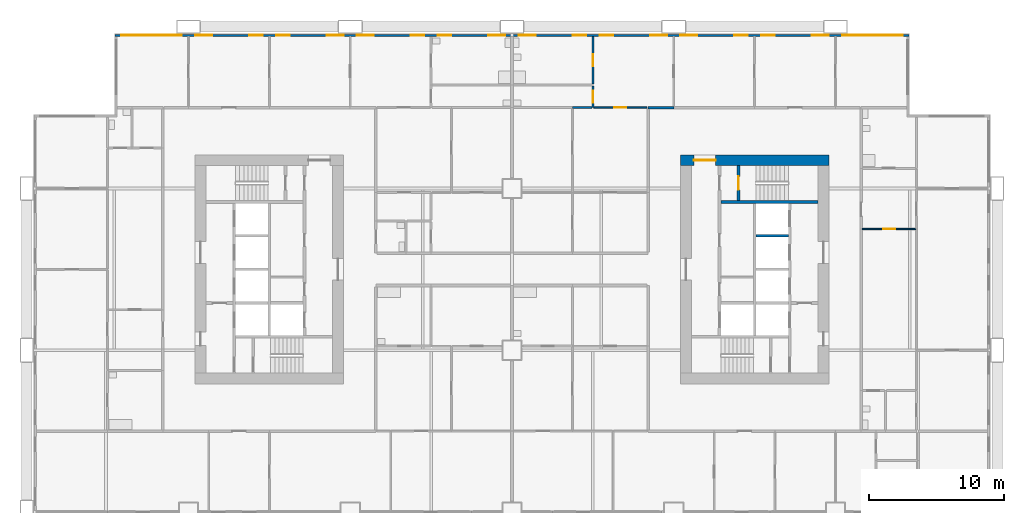
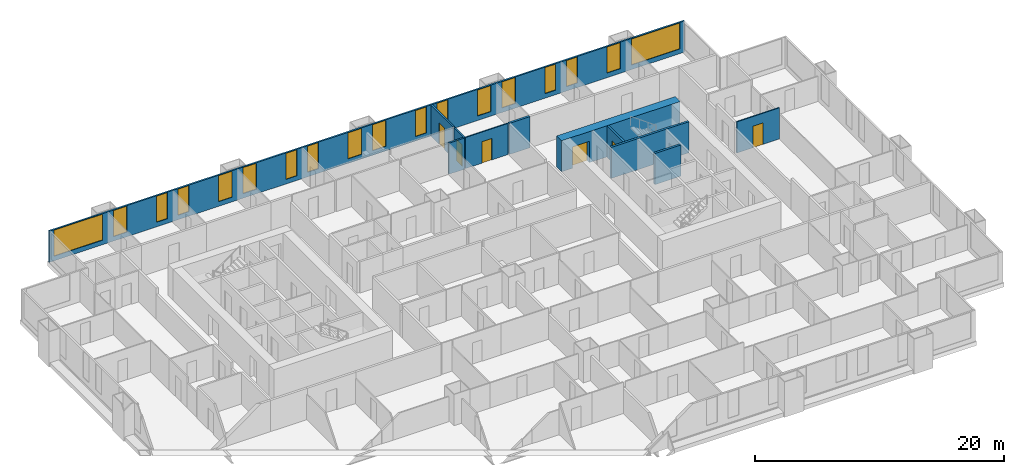
# One storey, part 10 of 14: 18 windows, 11 walls, 6 doors, 24 openings.
"""IFC4 building model written with IfcOpenShell, lengths in metres."""

from ifc_helpers import new_model, si_unit, direction, frame, frame_2d, origin, place, context, subcontext, project, spatial, rectangle, extrude, material, layer, layer_set, type_object, element, fill, save


model = new_model("IFC4")

# Units and contexts
model_context = context("Model", 3, precision=1e-05, world=origin(), true_north=direction((0.0, 1.0)))
body_context = subcontext(model_context, "Body", "Model", "MODEL_VIEW")
ifc_project = project(units=[si_unit("LENGTHUNIT", "METRE"), si_unit("AREAUNIT", "SQUARE_METRE"), si_unit("VOLUMEUNIT", "CUBIC_METRE"), si_unit("PLANEANGLEUNIT", "RADIAN"), si_unit("MASSUNIT", "GRAM", prefix="KILO")], contexts=[model_context])

# Site, building, storey
site_placement = place(None, origin())
site = spatial("IfcSite", under=ifc_project, at=site_placement, CompositionType="ELEMENT")
building_placement = place(site_placement, origin())
building = spatial("IfcBuilding", under=site, at=building_placement, Name="Kitamizu Gate Tower and Museum", CompositionType="ELEMENT")
storey_placement = place(building_placement, frame((0.0, 0.0, 33.449951171875)))
storey = spatial("IfcBuildingStorey", under=building, at=storey_placement, Name="L06", CompositionType="ELEMENT", Elevation=33.449951171875)

# Wall, opening, door
ifc_material_1 = material(Name="Concrete Fc60", Category="concrete")
ifc_layer_1 = layer(ifc_material_1, 0.800048828125)
ifc_layer_set_1 = layer_set([ifc_layer_1], Name="Concrete Fc60")
wall_type_1 = type_object("IfcWallType", Name="Core wall 800", PredefinedType="SHEAR", material=ifc_layer_set_1)
wall_1_placement = place(storey_placement, frame((59.5, 38.10009765625, 0.0), z_axis=(0.0, 0.0, 1.0), x_axis=(-1.0, 0.0, 0.0)))
wall_1 = element("IfcWall", 1, at=wall_1_placement, inside=storey, type_object=wall_type_1, Name="Core wall EN", PredefinedType="SHEAR", context=body_context, shape_type="SweptSolid", body=[
    extrude(rectangle(XDim=11.0, YDim=0.800048828125, at=frame_2d((5.5, 0.0))), origin(), (0.0, 0.0, 1.0), 3.050048828125),
])
opening_1_placement = place(wall_1_placement, frame((8.39990234375, 0.0, 0.0)))
opening_1 = element("IfcOpeningElement", 2, at=opening_1_placement, cuts=wall_1, Name="Opening L06-096", PredefinedType="OPENING", context=body_context, shape_type="SweptSolid", body=[
    extrude(rectangle(XDim=1.60009765625, YDim=2.10009765625, at=frame_2d((0.800048828125, 1.050048828125))), frame((0.0, 0.41015625, 0.0), z_axis=(0.0, -1.0, 0.0), x_axis=(1.0, 0.0, 0.0)), (0.0, 0.0, 1.0), 0.820068359375),
])
ifc_material_2 = material(Name="Timber door set", Category="wood")
door_type_1 = type_object("IfcDoorType", Name="Entrance door 1600", OperationType="DOUBLE_DOOR_SINGLE_SWING", PredefinedType="DOOR", material=ifc_material_2)
door_1_placement = place(opening_1_placement, origin())
door_1 = element("IfcDoor", 3, at=door_1_placement, inside=storey, type_object=door_type_1, Name="Lobby door L06-096", OperationType="DOUBLE_DOOR_SINGLE_SWING", OverallHeight=2.10009765625, OverallWidth=1.60009765625, PredefinedType="DOOR", context=body_context, shape_type="SweptSolid", body=[
    extrude(rectangle(XDim=1.60009765625, YDim=2.10009765625, at=frame_2d((0.800048828125, 1.050048828125))), frame((0.0, 0.02490234375, 0.0), z_axis=(0.0, -1.0, 0.0), x_axis=(1.0, 0.0, 0.0)), (0.0, 0.0, 1.0), 0.050048828125),
])
fill(opening_1, door_1)

ifc_material_3 = material(Name="Gypsum board on galvanised stud")
ifc_layer_2 = layer(ifc_material_3, 0.10009765625)
ifc_layer_set_2 = layer_set([ifc_layer_2], Name="Gypsum board on galvanised stud")
wall_type_2 = type_object("IfcWallType", Name="Partition 100 NOT RATED", PredefinedType="PARTITIONING", material=ifc_layer_set_2)
wall_2_placement = place(storey_placement, frame((65.949951171875, 33.0, 0.0), z_axis=(0.0, 0.0, 1.0), x_axis=(-1.0, 0.0, 0.0)))
wall_2 = element("IfcWall", 4, at=wall_2_placement, inside=storey, type_object=wall_type_2, Name="Partition L06-138", PredefinedType="PARTITIONING", context=body_context, shape_type="SweptSolid", body=[
    extrude(rectangle(XDim=3.949951171875, YDim=0.10009765625, at=frame_2d((1.97509765625, 0.0))), origin(), (0.0, 0.0, 1.0), 3.050048828125),
])
opening_2_placement = place(wall_2_placement, frame((1.52490234375, 0.0, 0.0)))
opening_2 = element("IfcOpeningElement", 5, at=opening_2_placement, cuts=wall_2, Name="Opening L06-050", PredefinedType="OPENING", context=body_context, shape_type="SweptSolid", body=[
    extrude(rectangle(XDim=0.89990234375, YDim=2.10009765625, at=frame_2d((0.449951171875, 1.050048828125))), frame((0.0, 0.06005859375, 0.0), z_axis=(0.0, -1.0, 0.0), x_axis=(1.0, 0.0, 0.0)), (0.0, 0.0, 1.0), 0.1201171875),
])
ifc_material_4 = material(Name="Timber door set", Category="wood")
door_type_2 = type_object("IfcDoorType", Name="Room door 900", OperationType="NOTDEFINED", PredefinedType="DOOR", material=ifc_material_4)
door_2_placement = place(opening_2_placement, frame((0.89990234375, 0.0, 0.0), x_axis=(-1.0, 0.0, 0.0)))
door_2 = element("IfcDoor", 6, at=door_2_placement, inside=storey, type_object=door_type_2, Name="Door L06-050", OperationType="SINGLE_SWING_LEFT", OverallHeight=2.10009765625, OverallWidth=0.89990234375, PredefinedType="DOOR", context=body_context, shape_type="SweptSolid", body=[
    extrude(rectangle(XDim=0.89990234375, YDim=2.10009765625, at=frame_2d((0.449951171875, 1.050048828125))), frame((0.0, 0.02490234375, 0.0), z_axis=(0.0, -1.0, 0.0), x_axis=(1.0, 0.0, 0.0)), (0.0, 0.0, 1.0), 0.050048828125),
])
fill(opening_2, door_2)

wall_3_placement = place(storey_placement, frame((42.074951171875, 42.0, 0.0), z_axis=(0.0, 0.0, 1.0), x_axis=(1.0, 0.0, 0.0)))
wall_3 = element("IfcWall", 7, at=wall_3_placement, inside=storey, type_object=wall_type_2, Name="Partition L06-185", PredefinedType="PARTITIONING", context=body_context, shape_type="SweptSolid", body=[
    extrude(rectangle(XDim=3.925048828125, YDim=0.10009765625, at=frame_2d((1.96240234375, 0.0))), origin(), (0.0, 0.0, 1.0), 3.050048828125),
])
opening_3_placement = place(wall_3_placement, frame((1.512451171875, 0.0, 0.0)))
opening_3 = element("IfcOpeningElement", 8, at=opening_3_placement, cuts=wall_3, Name="Opening L06-072", PredefinedType="OPENING", context=body_context, shape_type="SweptSolid", body=[
    extrude(rectangle(XDim=0.89990234375, YDim=2.10009765625, at=frame_2d((0.449951171875, 1.050048828125))), frame((0.0, 0.06005859375, 0.0), z_axis=(0.0, -1.0, 0.0), x_axis=(1.0, 0.0, 0.0)), (0.0, 0.0, 1.0), 0.1201171875),
])
door_3_placement = place(opening_3_placement, origin())
door_3 = element("IfcDoor", 9, at=door_3_placement, inside=storey, type_object=door_type_2, Name="Door L06-072", OperationType="SINGLE_SWING_LEFT", OverallHeight=2.10009765625, OverallWidth=0.89990234375, PredefinedType="DOOR", context=body_context, shape_type="SweptSolid", body=[
    extrude(rectangle(XDim=0.89990234375, YDim=2.10009765625, at=frame_2d((0.449951171875, 1.050048828125))), frame((0.0, 0.02490234375, 0.0), z_axis=(0.0, -1.0, 0.0), x_axis=(1.0, 0.0, 0.0)), (0.0, 0.0, 1.0), 0.050048828125),
])
fill(opening_3, door_3)

ifc_material_5 = material(Name="Gypsum board on galvanised stud")
ifc_layer_3 = layer(ifc_material_5, 0.14990234375)
ifc_layer_set_3 = layer_set([ifc_layer_3], Name="Gypsum board on galvanised stud")
wall_type_3 = type_object("IfcWallType", Name="Partition 150", PredefinedType="PARTITIONING", material=ifc_layer_set_3)
wall_4_placement = place(storey_placement, frame((42.0, 43.7548828125, 0.0), z_axis=(0.0, 0.0, 1.0), x_axis=(0.0, 1.0, 0.0)))
wall_4 = element("IfcWall", 10, at=wall_4_placement, inside=storey, type_object=wall_type_3, Name="Partition L06-180", PredefinedType="PARTITIONING", context=body_context, shape_type="SweptSolid", body=[
    extrude(rectangle(XDim=3.525146484375, YDim=0.14990234375, at=frame_2d((1.7626953125, 0.0))), origin(), (0.0, 0.0, 1.0), 3.050048828125),
])
opening_4_placement = place(wall_4_placement, frame((1.3125, 0.0, 0.0)))
opening_4 = element("IfcOpeningElement", 11, at=opening_4_placement, cuts=wall_4, Name="Opening L06-074", PredefinedType="OPENING", context=body_context, shape_type="SweptSolid", body=[
    extrude(rectangle(XDim=0.89990234375, YDim=2.10009765625, at=frame_2d((0.449951171875, 1.050048828125))), frame((0.0, 0.0849609375, 0.0), z_axis=(0.0, -1.0, 0.0), x_axis=(1.0, 0.0, 0.0)), (0.0, 0.0, 1.0), 0.169921875),
])
ifc_material_6 = material(Name="Timber door set", Category="wood")
door_type_3 = type_object("IfcDoorType", Name="Bathroom door 900", OperationType="NOTDEFINED", PredefinedType="DOOR", material=ifc_material_6)
door_4_placement = place(opening_4_placement, origin())
door_4 = element("IfcDoor", 12, at=door_4_placement, inside=storey, type_object=door_type_3, Name="Bathroom door L06-074", OperationType="SINGLE_SWING_LEFT", OverallHeight=2.10009765625, OverallWidth=0.89990234375, PredefinedType="DOOR", context=body_context, shape_type="SweptSolid", body=[
    extrude(rectangle(XDim=0.89990234375, YDim=2.10009765625, at=frame_2d((0.449951171875, 1.050048828125))), frame((0.0, 0.02490234375, 0.0), z_axis=(0.0, -1.0, 0.0), x_axis=(1.0, 0.0, 0.0)), (0.0, 0.0, 1.0), 0.050048828125),
])
fill(opening_4, door_4)

wall_5_placement = place(storey_placement, frame((42.0, 42.0, 0.0), z_axis=(0.0, 0.0, 1.0), x_axis=(0.0, 1.0, 0.0)))
wall_5 = element("IfcWall", 13, at=wall_5_placement, inside=storey, type_object=wall_type_3, Name="Partition L06-181", PredefinedType="PARTITIONING", context=body_context, shape_type="SweptSolid", body=[
    extrude(rectangle(XDim=1.60498046875, YDim=0.14990234375, at=frame_2d((0.802490234375, 0.0))), origin(), (0.0, 0.0, 1.0), 3.050048828125),
])
opening_5_placement = place(wall_5_placement, frame((0.3525390625, 0.0, 0.0)))
opening_5 = element("IfcOpeningElement", 14, at=opening_5_placement, cuts=wall_5, Name="Opening L06-075", PredefinedType="OPENING", context=body_context, shape_type="SweptSolid", body=[
    extrude(rectangle(XDim=0.89990234375, YDim=2.10009765625, at=frame_2d((0.449951171875, 1.050048828125))), frame((0.0, 0.0849609375, 0.0), z_axis=(0.0, -1.0, 0.0), x_axis=(1.0, 0.0, 0.0)), (0.0, 0.0, 1.0), 0.169921875),
])
door_5_placement = place(opening_5_placement, origin())
door_5 = element("IfcDoor", 15, at=door_5_placement, inside=storey, type_object=door_type_3, Name="Bathroom door L06-075", OperationType="SINGLE_SWING_RIGHT", OverallHeight=2.10009765625, OverallWidth=0.89990234375, PredefinedType="DOOR", context=body_context, shape_type="SweptSolid", body=[
    extrude(rectangle(XDim=0.89990234375, YDim=2.10009765625, at=frame_2d((0.449951171875, 1.050048828125))), frame((0.0, 0.02490234375, 0.0), z_axis=(0.0, -1.0, 0.0), x_axis=(1.0, 0.0, 0.0)), (0.0, 0.0, 1.0), 0.050048828125),
])
fill(opening_5, door_5)

# Walls
wall_6_placement = place(storey_placement, frame((40.5, 42.0, 0.0), z_axis=(0.0, 0.0, 1.0), x_axis=(1.0, 0.0, 0.0)))
element("IfcWall", 16, at=wall_6_placement, inside=storey, type_object=wall_type_3, Name="Partition L06-183", PredefinedType="PARTITIONING", context=body_context, shape_type="SweptSolid", body=[
    extrude(rectangle(XDim=1.425048828125, YDim=0.14990234375, at=frame_2d((0.71240234375, 0.0))), origin(), (0.0, 0.0, 1.0), 3.050048828125),
])
ifc_material_7 = material(Name="Gypsum board on galvanised stud")
ifc_layer_4 = layer(ifc_material_7, 0.199951171875)
ifc_layer_set_4 = layer_set([ifc_layer_4], Name="Gypsum board on galvanised stud")
wall_type_4 = type_object("IfcWallType", Name="Partition 200", PredefinedType="PARTITIONING", material=ifc_layer_set_4)
wall_7_placement = place(storey_placement, frame((46.10009765625, 42.0, 0.0), z_axis=(0.0, 0.0, 1.0), x_axis=(1.0, 0.0, 0.0)))
element("IfcWall", 17, at=wall_7_placement, inside=storey, type_object=wall_type_4, Name="Partition L06-186", PredefinedType="PARTITIONING", context=body_context, shape_type="SweptSolid", body=[
    extrude(rectangle(XDim=1.89990234375, YDim=0.199951171875, at=frame_2d((0.949951171875, 0.0))), origin(), (0.0, 0.0, 1.0), 3.050048828125),
])
ifc_material_8 = material(Name="Concrete Fc42", Category="concrete")
ifc_layer_5 = layer(ifc_material_8, 0.199951171875)
ifc_layer_set_5 = layer_set([ifc_layer_5], Name="Concrete Fc42")
wall_type_5 = type_object("IfcWallType", Name="Shaft wall 200", PredefinedType="SOLIDWALL", material=ifc_layer_set_5)
wall_8_placement = place(storey_placement, frame((58.699951171875, 35.0, 0.0), z_axis=(0.0, 0.0, 1.0), x_axis=(-1.0, 0.0, 0.0)))
element("IfcWall", 18, at=wall_8_placement, inside=storey, type_object=wall_type_5, Name="Shaft wall ENB", PredefinedType="SOLIDWALL", context=body_context, shape_type="SweptSolid", body=[
    extrude(rectangle(XDim=7.199951171875, YDim=0.199951171875, at=frame_2d((3.60009765625, 0.0))), origin(), (0.0, 0.0, 1.0), 3.050048828125),
])

# Wall, opening, door
wall_9_placement = place(storey_placement, frame((52.800048828125, 35.10009765625, 0.0), z_axis=(0.0, 0.0, 1.0), x_axis=(0.0, 1.0, 0.0)))
wall_9 = element("IfcWall", 19, at=wall_9_placement, inside=storey, type_object=wall_type_5, Name="Shaft wall ENZ", PredefinedType="SOLIDWALL", context=body_context, shape_type="SweptSolid", body=[
    extrude(rectangle(XDim=2.599853515625, YDim=0.199951171875, at=frame_2d((1.2998046875, 0.0))), origin(), (0.0, 0.0, 1.0), 3.050048828125),
])
opening_6_placement = place(wall_9_placement, frame((0.800048828125, 0.0, 0.0)))
opening_6 = element("IfcOpeningElement", 20, at=opening_6_placement, cuts=wall_9, Name="Opening L06-092", PredefinedType="OPENING", context=body_context, shape_type="SweptSolid", body=[
    extrude(rectangle(XDim=1.0, YDim=2.10009765625, at=frame_2d((0.5, 1.050048828125))), frame((0.0, 0.10986328125, 0.0), z_axis=(0.0, -1.0, 0.0), x_axis=(1.0, 0.0, 0.0)), (0.0, 0.0, 1.0), 0.219970703125),
])
ifc_material_9 = material(Name="Hollow metal door set")
door_type_4 = type_object("IfcDoorType", Name="Fire door 1000", OperationType="NOTDEFINED", PredefinedType="DOOR", material=ifc_material_9)
door_6_placement = place(opening_6_placement, frame((1.0, 0.0, 0.0), x_axis=(-1.0, 0.0, 0.0)))
door_6 = element("IfcDoor", 21, at=door_6_placement, inside=storey, type_object=door_type_4, Name="Stair door L06-092", OperationType="SINGLE_SWING_LEFT", OverallHeight=2.10009765625, OverallWidth=1.0, PredefinedType="DOOR", context=body_context, shape_type="SweptSolid", body=[
    extrude(rectangle(XDim=1.0, YDim=2.10009765625, at=frame_2d((0.5, 1.050048828125))), frame((0.0, 0.02490234375, 0.0), z_axis=(0.0, -1.0, 0.0), x_axis=(1.0, 0.0, 0.0)), (0.0, 0.0, 1.0), 0.050048828125),
])
fill(opening_6, door_6)

# Wall
wall_10_placement = place(storey_placement, frame((56.5, 32.5, 0.0), z_axis=(0.0, 0.0, 1.0), x_axis=(-1.0, 0.0, 0.0)))
element("IfcWall", 22, at=wall_10_placement, inside=storey, type_object=wall_type_5, Name="Shaft wall EDVW2", PredefinedType="SOLIDWALL", context=body_context, shape_type="SweptSolid", body=[
    extrude(rectangle(XDim=2.39990234375, YDim=0.199951171875, at=frame_2d((1.199951171875, 0.0))), origin(), (0.0, 0.0, 1.0), 3.050048828125),
])

# Wall, openings, windows
ifc_material_10 = material(Name="Bronze anodised aluminium frame with insulated spandrel and tinted glass", Category="aluminium")
ifc_layer_6 = layer(ifc_material_10, 0.14990234375)
ifc_layer_set_6 = layer_set([ifc_layer_6], Name="Bronze anodised aluminium frame with insulated spandrel and tinted glass")
wall_type_6 = type_object("IfcWallType", Name="WINDOW WALL 150 BRONZE FRAME EI 30", PredefinedType="ELEMENTEDWALL", material=ifc_layer_set_6)
wall_11_placement = place(storey_placement, frame((6.56005859375, 47.364990234375, 0.0), z_axis=(0.0, 0.0, 1.0), x_axis=(1.0, 0.0, 0.0)))
wall_11 = element("IfcWall", 23, at=wall_11_placement, inside=storey, type_object=wall_type_6, Name="Window wall north L06", PredefinedType="ELEMENTEDWALL", context=body_context, shape_type="SweptSolid", body=[
    extrude(rectangle(XDim=58.8798828125, YDim=0.14990234375, at=frame_2d((29.43994140625, 0.0))), origin(), (0.0, 0.0, 1.0), 3.050048828125),
])
opening_7_placement = place(wall_11_placement, frame((0.43994140625, 0.0, 0.449951171875)))
opening_7 = element("IfcOpeningElement", 24, at=opening_7_placement, cuts=wall_11, Name="Opening W15", PredefinedType="OPENING", context=body_context, shape_type="SweptSolid", body=[
    extrude(rectangle(XDim=4.5, YDim=2.550048828125, at=frame_2d((2.25, 1.27490234375))), frame((0.0, 0.0849609375, 0.0), z_axis=(0.0, -1.0, 0.0), x_axis=(1.0, 0.0, 0.0)), (0.0, 0.0, 1.0), 0.169921875),
])
opening_8_placement = place(wall_11_placement, frame((5.93994140625, 0.0, 0.449951171875)))
opening_8 = element("IfcOpeningElement", 25, at=opening_8_placement, cuts=wall_11, Name="Opening W27", PredefinedType="OPENING", context=body_context, shape_type="SweptSolid", body=[
    extrude(rectangle(XDim=1.25, YDim=2.550048828125, at=frame_2d((0.625, 1.27490234375))), frame((0.0, 0.0849609375, 0.0), z_axis=(0.0, -1.0, 0.0), x_axis=(1.0, 0.0, 0.0)), (0.0, 0.0, 1.0), 0.169921875),
])
opening_9_placement = place(wall_11_placement, frame((9.93994140625, 0.0, 0.449951171875)))
opening_9 = element("IfcOpeningElement", 26, at=opening_9_placement, cuts=wall_11, Name="Opening W26", PredefinedType="OPENING", context=body_context, shape_type="SweptSolid", body=[
    extrude(rectangle(XDim=1.0, YDim=2.550048828125, at=frame_2d((0.5, 1.27490234375))), frame((0.0, 0.0849609375, 0.0), z_axis=(0.0, -1.0, 0.0), x_axis=(1.0, 0.0, 0.0)), (0.0, 0.0, 1.0), 0.169921875),
])
opening_10_placement = place(wall_11_placement, frame((11.93994140625, 0.0, 0.449951171875)))
opening_10 = element("IfcOpeningElement", 27, at=opening_10_placement, cuts=wall_11, Name="Opening W26", PredefinedType="OPENING", context=body_context, shape_type="SweptSolid", body=[
    extrude(rectangle(XDim=1.0, YDim=2.550048828125, at=frame_2d((0.5, 1.27490234375))), frame((0.0, 0.0849609375, 0.0), z_axis=(0.0, -1.0, 0.0), x_axis=(1.0, 0.0, 0.0)), (0.0, 0.0, 1.0), 0.169921875),
])
opening_11_placement = place(wall_11_placement, frame((15.68994140625, 0.0, 0.449951171875)))
opening_11 = element("IfcOpeningElement", 28, at=opening_11_placement, cuts=wall_11, Name="Opening W27", PredefinedType="OPENING", context=body_context, shape_type="SweptSolid", body=[
    extrude(rectangle(XDim=1.25, YDim=2.550048828125, at=frame_2d((0.625, 1.27490234375))), frame((0.0, 0.0849609375, 0.0), z_axis=(0.0, -1.0, 0.0), x_axis=(1.0, 0.0, 0.0)), (0.0, 0.0, 1.0), 0.169921875),
])
opening_12_placement = place(wall_11_placement, frame((17.93994140625, 0.0, 0.449951171875)))
opening_12 = element("IfcOpeningElement", 29, at=opening_12_placement, cuts=wall_11, Name="Opening W27", PredefinedType="OPENING", context=body_context, shape_type="SweptSolid", body=[
    extrude(rectangle(XDim=1.25, YDim=2.550048828125, at=frame_2d((0.625, 1.27490234375))), frame((0.0, 0.0849609375, 0.0), z_axis=(0.0, -1.0, 0.0), x_axis=(1.0, 0.0, 0.0)), (0.0, 0.0, 1.0), 0.169921875),
])
opening_13_placement = place(wall_11_placement, frame((21.93994140625, 0.0, 0.449951171875)))
opening_13 = element("IfcOpeningElement", 30, at=opening_13_placement, cuts=wall_11, Name="Opening W26", PredefinedType="OPENING", context=body_context, shape_type="SweptSolid", body=[
    extrude(rectangle(XDim=1.0, YDim=2.550048828125, at=frame_2d((0.5, 1.27490234375))), frame((0.0, 0.0849609375, 0.0), z_axis=(0.0, -1.0, 0.0), x_axis=(1.0, 0.0, 0.0)), (0.0, 0.0, 1.0), 0.169921875),
])
opening_14_placement = place(wall_11_placement, frame((23.93994140625, 0.0, 0.449951171875)))
opening_14 = element("IfcOpeningElement", 31, at=opening_14_placement, cuts=wall_11, Name="Opening W26", PredefinedType="OPENING", context=body_context, shape_type="SweptSolid", body=[
    extrude(rectangle(XDim=1.0, YDim=2.550048828125, at=frame_2d((0.5, 1.27490234375))), frame((0.0, 0.0849609375, 0.0), z_axis=(0.0, -1.0, 0.0), x_axis=(1.0, 0.0, 0.0)), (0.0, 0.0, 1.0), 0.169921875),
])
opening_15_placement = place(wall_11_placement, frame((27.68994140625, 0.0, 0.449951171875)))
opening_15 = element("IfcOpeningElement", 32, at=opening_15_placement, cuts=wall_11, Name="Opening W27", PredefinedType="OPENING", context=body_context, shape_type="SweptSolid", body=[
    extrude(rectangle(XDim=1.25, YDim=2.550048828125, at=frame_2d((0.625, 1.27490234375))), frame((0.0, 0.0849609375, 0.0), z_axis=(0.0, -1.0, 0.0), x_axis=(1.0, 0.0, 0.0)), (0.0, 0.0, 1.0), 0.169921875),
])
opening_16_placement = place(wall_11_placement, frame((29.93994140625, 0.0, 0.449951171875)))
opening_16 = element("IfcOpeningElement", 33, at=opening_16_placement, cuts=wall_11, Name="Opening W27", PredefinedType="OPENING", context=body_context, shape_type="SweptSolid", body=[
    extrude(rectangle(XDim=1.25, YDim=2.550048828125, at=frame_2d((0.625, 1.27490234375))), frame((0.0, 0.0849609375, 0.0), z_axis=(0.0, -1.0, 0.0), x_axis=(1.0, 0.0, 0.0)), (0.0, 0.0, 1.0), 0.169921875),
])
opening_17_placement = place(wall_11_placement, frame((33.93994140625, 0.0, 0.449951171875)))
opening_17 = element("IfcOpeningElement", 34, at=opening_17_placement, cuts=wall_11, Name="Opening W26", PredefinedType="OPENING", context=body_context, shape_type="SweptSolid", body=[
    extrude(rectangle(XDim=1.0, YDim=2.550048828125, at=frame_2d((0.5, 1.27490234375))), frame((0.0, 0.0849609375, 0.0), z_axis=(0.0, -1.0, 0.0), x_axis=(1.0, 0.0, 0.0)), (0.0, 0.0, 1.0), 0.169921875),
])
opening_18_placement = place(wall_11_placement, frame((35.93994140625, 0.0, 0.449951171875)))
opening_18 = element("IfcOpeningElement", 35, at=opening_18_placement, cuts=wall_11, Name="Opening W26", PredefinedType="OPENING", context=body_context, shape_type="SweptSolid", body=[
    extrude(rectangle(XDim=1.0, YDim=2.550048828125, at=frame_2d((0.5, 1.27490234375))), frame((0.0, 0.0849609375, 0.0), z_axis=(0.0, -1.0, 0.0), x_axis=(1.0, 0.0, 0.0)), (0.0, 0.0, 1.0), 0.169921875),
])
opening_19_placement = place(wall_11_placement, frame((39.68994140625, 0.0, 0.449951171875)))
opening_19 = element("IfcOpeningElement", 36, at=opening_19_placement, cuts=wall_11, Name="Opening W27", PredefinedType="OPENING", context=body_context, shape_type="SweptSolid", body=[
    extrude(rectangle(XDim=1.25, YDim=2.550048828125, at=frame_2d((0.625, 1.27490234375))), frame((0.0, 0.0849609375, 0.0), z_axis=(0.0, -1.0, 0.0), x_axis=(1.0, 0.0, 0.0)), (0.0, 0.0, 1.0), 0.169921875),
])
opening_20_placement = place(wall_11_placement, frame((41.93994140625, 0.0, 0.449951171875)))
opening_20 = element("IfcOpeningElement", 37, at=opening_20_placement, cuts=wall_11, Name="Opening W27", PredefinedType="OPENING", context=body_context, shape_type="SweptSolid", body=[
    extrude(rectangle(XDim=1.25, YDim=2.550048828125, at=frame_2d((0.625, 1.27490234375))), frame((0.0, 0.0849609375, 0.0), z_axis=(0.0, -1.0, 0.0), x_axis=(1.0, 0.0, 0.0)), (0.0, 0.0, 1.0), 0.169921875),
])
opening_21_placement = place(wall_11_placement, frame((45.93994140625, 0.0, 0.449951171875)))
opening_21 = element("IfcOpeningElement", 38, at=opening_21_placement, cuts=wall_11, Name="Opening W26", PredefinedType="OPENING", context=body_context, shape_type="SweptSolid", body=[
    extrude(rectangle(XDim=1.0, YDim=2.550048828125, at=frame_2d((0.5, 1.27490234375))), frame((0.0, 0.0849609375, 0.0), z_axis=(0.0, -1.0, 0.0), x_axis=(1.0, 0.0, 0.0)), (0.0, 0.0, 1.0), 0.169921875),
])
opening_22_placement = place(wall_11_placement, frame((47.93994140625, 0.0, 0.449951171875)))
opening_22 = element("IfcOpeningElement", 39, at=opening_22_placement, cuts=wall_11, Name="Opening W26", PredefinedType="OPENING", context=body_context, shape_type="SweptSolid", body=[
    extrude(rectangle(XDim=1.0, YDim=2.550048828125, at=frame_2d((0.5, 1.27490234375))), frame((0.0, 0.0849609375, 0.0), z_axis=(0.0, -1.0, 0.0), x_axis=(1.0, 0.0, 0.0)), (0.0, 0.0, 1.0), 0.169921875),
])
opening_23_placement = place(wall_11_placement, frame((51.68994140625, 0.0, 0.449951171875)))
opening_23 = element("IfcOpeningElement", 40, at=opening_23_placement, cuts=wall_11, Name="Opening W27", PredefinedType="OPENING", context=body_context, shape_type="SweptSolid", body=[
    extrude(rectangle(XDim=1.25, YDim=2.550048828125, at=frame_2d((0.625, 1.27490234375))), frame((0.0, 0.0849609375, 0.0), z_axis=(0.0, -1.0, 0.0), x_axis=(1.0, 0.0, 0.0)), (0.0, 0.0, 1.0), 0.169921875),
])
opening_24_placement = place(wall_11_placement, frame((53.93994140625, 0.0, 0.449951171875)))
opening_24 = element("IfcOpeningElement", 41, at=opening_24_placement, cuts=wall_11, Name="Opening W15", PredefinedType="OPENING", context=body_context, shape_type="SweptSolid", body=[
    extrude(rectangle(XDim=4.5, YDim=2.550048828125, at=frame_2d((2.25, 1.27490234375))), frame((0.0, 0.0849609375, 0.0), z_axis=(0.0, -1.0, 0.0), x_axis=(1.0, 0.0, 0.0)), (0.0, 0.0, 1.0), 0.169921875),
])
ifc_material_11 = material(Name="Bronze anodised aluminium frame, tinted triple glazing", Category="aluminium")
window_type_1 = type_object("IfcWindowType", Name="WINDOW 1000 x 2550 SILL 450", PartitioningType="SINGLE_PANEL", PredefinedType="WINDOW", material=ifc_material_11)
window_1_placement = place(opening_9_placement, origin())
window_1 = element("IfcWindow", 42, at=window_1_placement, inside=storey, type_object=window_type_1, Name="Window W26 L06", OverallHeight=2.550048828125, OverallWidth=1.0, PartitioningType="SINGLE_PANEL", PredefinedType="WINDOW", context=body_context, shape_type="SweptSolid", body=[
    extrude(rectangle(XDim=1.0, YDim=2.550048828125, at=frame_2d((0.5, 1.27490234375))), frame((0.0, 0.030029296875, 0.0), z_axis=(0.0, -1.0, 0.0), x_axis=(1.0, 0.0, 0.0)), (0.0, 0.0, 1.0), 0.06005859375),
])
fill(opening_9, window_1)
window_2_placement = place(opening_10_placement, origin())
window_2 = element("IfcWindow", 43, at=window_2_placement, inside=storey, type_object=window_type_1, Name="Window W26 L06", OverallHeight=2.550048828125, OverallWidth=1.0, PartitioningType="SINGLE_PANEL", PredefinedType="WINDOW", context=body_context, shape_type="SweptSolid", body=[
    extrude(rectangle(XDim=1.0, YDim=2.550048828125, at=frame_2d((0.5, 1.27490234375))), frame((0.0, 0.030029296875, 0.0), z_axis=(0.0, -1.0, 0.0), x_axis=(1.0, 0.0, 0.0)), (0.0, 0.0, 1.0), 0.06005859375),
])
fill(opening_10, window_2)
window_3_placement = place(opening_13_placement, origin())
window_3 = element("IfcWindow", 44, at=window_3_placement, inside=storey, type_object=window_type_1, Name="Window W26 L06", OverallHeight=2.550048828125, OverallWidth=1.0, PartitioningType="SINGLE_PANEL", PredefinedType="WINDOW", context=body_context, shape_type="SweptSolid", body=[
    extrude(rectangle(XDim=1.0, YDim=2.550048828125, at=frame_2d((0.5, 1.27490234375))), frame((0.0, 0.030029296875, 0.0), z_axis=(0.0, -1.0, 0.0), x_axis=(1.0, 0.0, 0.0)), (0.0, 0.0, 1.0), 0.06005859375),
])
fill(opening_13, window_3)
window_4_placement = place(opening_14_placement, origin())
window_4 = element("IfcWindow", 45, at=window_4_placement, inside=storey, type_object=window_type_1, Name="Window W26 L06", OverallHeight=2.550048828125, OverallWidth=1.0, PartitioningType="SINGLE_PANEL", PredefinedType="WINDOW", context=body_context, shape_type="SweptSolid", body=[
    extrude(rectangle(XDim=1.0, YDim=2.550048828125, at=frame_2d((0.5, 1.27490234375))), frame((0.0, 0.030029296875, 0.0), z_axis=(0.0, -1.0, 0.0), x_axis=(1.0, 0.0, 0.0)), (0.0, 0.0, 1.0), 0.06005859375),
])
fill(opening_14, window_4)
window_5_placement = place(opening_17_placement, origin())
window_5 = element("IfcWindow", 46, at=window_5_placement, inside=storey, type_object=window_type_1, Name="Window W26 L06", OverallHeight=2.550048828125, OverallWidth=1.0, PartitioningType="SINGLE_PANEL", PredefinedType="WINDOW", context=body_context, shape_type="SweptSolid", body=[
    extrude(rectangle(XDim=1.0, YDim=2.550048828125, at=frame_2d((0.5, 1.27490234375))), frame((0.0, 0.030029296875, 0.0), z_axis=(0.0, -1.0, 0.0), x_axis=(1.0, 0.0, 0.0)), (0.0, 0.0, 1.0), 0.06005859375),
])
fill(opening_17, window_5)
window_6_placement = place(opening_18_placement, origin())
window_6 = element("IfcWindow", 47, at=window_6_placement, inside=storey, type_object=window_type_1, Name="Window W26 L06", OverallHeight=2.550048828125, OverallWidth=1.0, PartitioningType="SINGLE_PANEL", PredefinedType="WINDOW", context=body_context, shape_type="SweptSolid", body=[
    extrude(rectangle(XDim=1.0, YDim=2.550048828125, at=frame_2d((0.5, 1.27490234375))), frame((0.0, 0.030029296875, 0.0), z_axis=(0.0, -1.0, 0.0), x_axis=(1.0, 0.0, 0.0)), (0.0, 0.0, 1.0), 0.06005859375),
])
fill(opening_18, window_6)
window_7_placement = place(opening_21_placement, origin())
window_7 = element("IfcWindow", 48, at=window_7_placement, inside=storey, type_object=window_type_1, Name="Window W26 L06", OverallHeight=2.550048828125, OverallWidth=1.0, PartitioningType="SINGLE_PANEL", PredefinedType="WINDOW", context=body_context, shape_type="SweptSolid", body=[
    extrude(rectangle(XDim=1.0, YDim=2.550048828125, at=frame_2d((0.5, 1.27490234375))), frame((0.0, 0.030029296875, 0.0), z_axis=(0.0, -1.0, 0.0), x_axis=(1.0, 0.0, 0.0)), (0.0, 0.0, 1.0), 0.06005859375),
])
fill(opening_21, window_7)
window_8_placement = place(opening_22_placement, origin())
window_8 = element("IfcWindow", 49, at=window_8_placement, inside=storey, type_object=window_type_1, Name="Window W26 L06", OverallHeight=2.550048828125, OverallWidth=1.0, PartitioningType="SINGLE_PANEL", PredefinedType="WINDOW", context=body_context, shape_type="SweptSolid", body=[
    extrude(rectangle(XDim=1.0, YDim=2.550048828125, at=frame_2d((0.5, 1.27490234375))), frame((0.0, 0.030029296875, 0.0), z_axis=(0.0, -1.0, 0.0), x_axis=(1.0, 0.0, 0.0)), (0.0, 0.0, 1.0), 0.06005859375),
])
fill(opening_22, window_8)
ifc_material_12 = material(Name="Bronze anodised aluminium frame, tinted triple glazing", Category="aluminium")
window_type_2 = type_object("IfcWindowType", Name="WINDOW 1250 x 2550 SILL 450", PartitioningType="SINGLE_PANEL", PredefinedType="WINDOW", material=ifc_material_12)
window_9_placement = place(opening_8_placement, origin())
window_9 = element("IfcWindow", 50, at=window_9_placement, inside=storey, type_object=window_type_2, Name="Window W27 L06", OverallHeight=2.550048828125, OverallWidth=1.25, PartitioningType="SINGLE_PANEL", PredefinedType="WINDOW", context=body_context, shape_type="SweptSolid", body=[
    extrude(rectangle(XDim=1.25, YDim=2.550048828125, at=frame_2d((0.625, 1.27490234375))), frame((0.0, 0.030029296875, 0.0), z_axis=(0.0, -1.0, 0.0), x_axis=(1.0, 0.0, 0.0)), (0.0, 0.0, 1.0), 0.06005859375),
])
fill(opening_8, window_9)
window_10_placement = place(opening_11_placement, origin())
window_10 = element("IfcWindow", 51, at=window_10_placement, inside=storey, type_object=window_type_2, Name="Window W27 L06", OverallHeight=2.550048828125, OverallWidth=1.25, PartitioningType="SINGLE_PANEL", PredefinedType="WINDOW", context=body_context, shape_type="SweptSolid", body=[
    extrude(rectangle(XDim=1.25, YDim=2.550048828125, at=frame_2d((0.625, 1.27490234375))), frame((0.0, 0.030029296875, 0.0), z_axis=(0.0, -1.0, 0.0), x_axis=(1.0, 0.0, 0.0)), (0.0, 0.0, 1.0), 0.06005859375),
])
fill(opening_11, window_10)
window_11_placement = place(opening_12_placement, origin())
window_11 = element("IfcWindow", 52, at=window_11_placement, inside=storey, type_object=window_type_2, Name="Window W27 L06", OverallHeight=2.550048828125, OverallWidth=1.25, PartitioningType="SINGLE_PANEL", PredefinedType="WINDOW", context=body_context, shape_type="SweptSolid", body=[
    extrude(rectangle(XDim=1.25, YDim=2.550048828125, at=frame_2d((0.625, 1.27490234375))), frame((0.0, 0.030029296875, 0.0), z_axis=(0.0, -1.0, 0.0), x_axis=(1.0, 0.0, 0.0)), (0.0, 0.0, 1.0), 0.06005859375),
])
fill(opening_12, window_11)
window_12_placement = place(opening_15_placement, origin())
window_12 = element("IfcWindow", 53, at=window_12_placement, inside=storey, type_object=window_type_2, Name="Window W27 L06", OverallHeight=2.550048828125, OverallWidth=1.25, PartitioningType="SINGLE_PANEL", PredefinedType="WINDOW", context=body_context, shape_type="SweptSolid", body=[
    extrude(rectangle(XDim=1.25, YDim=2.550048828125, at=frame_2d((0.625, 1.27490234375))), frame((0.0, 0.030029296875, 0.0), z_axis=(0.0, -1.0, 0.0), x_axis=(1.0, 0.0, 0.0)), (0.0, 0.0, 1.0), 0.06005859375),
])
fill(opening_15, window_12)
window_13_placement = place(opening_16_placement, origin())
window_13 = element("IfcWindow", 54, at=window_13_placement, inside=storey, type_object=window_type_2, Name="Window W27 L06", OverallHeight=2.550048828125, OverallWidth=1.25, PartitioningType="SINGLE_PANEL", PredefinedType="WINDOW", context=body_context, shape_type="SweptSolid", body=[
    extrude(rectangle(XDim=1.25, YDim=2.550048828125, at=frame_2d((0.625, 1.27490234375))), frame((0.0, 0.030029296875, 0.0), z_axis=(0.0, -1.0, 0.0), x_axis=(1.0, 0.0, 0.0)), (0.0, 0.0, 1.0), 0.06005859375),
])
fill(opening_16, window_13)
window_14_placement = place(opening_19_placement, origin())
window_14 = element("IfcWindow", 55, at=window_14_placement, inside=storey, type_object=window_type_2, Name="Window W27 L06", OverallHeight=2.550048828125, OverallWidth=1.25, PartitioningType="SINGLE_PANEL", PredefinedType="WINDOW", context=body_context, shape_type="SweptSolid", body=[
    extrude(rectangle(XDim=1.25, YDim=2.550048828125, at=frame_2d((0.625, 1.27490234375))), frame((0.0, 0.030029296875, 0.0), z_axis=(0.0, -1.0, 0.0), x_axis=(1.0, 0.0, 0.0)), (0.0, 0.0, 1.0), 0.06005859375),
])
fill(opening_19, window_14)
window_15_placement = place(opening_20_placement, origin())
window_15 = element("IfcWindow", 56, at=window_15_placement, inside=storey, type_object=window_type_2, Name="Window W27 L06", OverallHeight=2.550048828125, OverallWidth=1.25, PartitioningType="SINGLE_PANEL", PredefinedType="WINDOW", context=body_context, shape_type="SweptSolid", body=[
    extrude(rectangle(XDim=1.25, YDim=2.550048828125, at=frame_2d((0.625, 1.27490234375))), frame((0.0, 0.030029296875, 0.0), z_axis=(0.0, -1.0, 0.0), x_axis=(1.0, 0.0, 0.0)), (0.0, 0.0, 1.0), 0.06005859375),
])
fill(opening_20, window_15)
window_16_placement = place(opening_23_placement, origin())
window_16 = element("IfcWindow", 57, at=window_16_placement, inside=storey, type_object=window_type_2, Name="Window W27 L06", OverallHeight=2.550048828125, OverallWidth=1.25, PartitioningType="SINGLE_PANEL", PredefinedType="WINDOW", context=body_context, shape_type="SweptSolid", body=[
    extrude(rectangle(XDim=1.25, YDim=2.550048828125, at=frame_2d((0.625, 1.27490234375))), frame((0.0, 0.030029296875, 0.0), z_axis=(0.0, -1.0, 0.0), x_axis=(1.0, 0.0, 0.0)), (0.0, 0.0, 1.0), 0.06005859375),
])
fill(opening_23, window_16)
ifc_material_13 = material(Name="Bronze anodised aluminium frame, tinted triple glazing", Category="aluminium")
window_type_3 = type_object("IfcWindowType", Name="WINDOW 4500 x 2550 SILL 450", PartitioningType="SINGLE_PANEL", PredefinedType="WINDOW", material=ifc_material_13)
window_17_placement = place(opening_7_placement, origin())
window_17 = element("IfcWindow", 58, at=window_17_placement, inside=storey, type_object=window_type_3, Name="Window W15 L06", OverallHeight=2.550048828125, OverallWidth=4.5, PartitioningType="SINGLE_PANEL", PredefinedType="WINDOW", context=body_context, shape_type="SweptSolid", body=[
    extrude(rectangle(XDim=4.5, YDim=2.550048828125, at=frame_2d((2.25, 1.27490234375))), frame((0.0, 0.030029296875, 0.0), z_axis=(0.0, -1.0, 0.0), x_axis=(1.0, 0.0, 0.0)), (0.0, 0.0, 1.0), 0.06005859375),
])
fill(opening_7, window_17)
window_18_placement = place(opening_24_placement, origin())
window_18 = element("IfcWindow", 59, at=window_18_placement, inside=storey, type_object=window_type_3, Name="Window W15 L06", OverallHeight=2.550048828125, OverallWidth=4.5, PartitioningType="SINGLE_PANEL", PredefinedType="WINDOW", context=body_context, shape_type="SweptSolid", body=[
    extrude(rectangle(XDim=4.5, YDim=2.550048828125, at=frame_2d((2.25, 1.27490234375))), frame((0.0, 0.030029296875, 0.0), z_axis=(0.0, -1.0, 0.0), x_axis=(1.0, 0.0, 0.0)), (0.0, 0.0, 1.0), 0.06005859375),
])
fill(opening_24, window_18)

save(model, "model.ifc")
